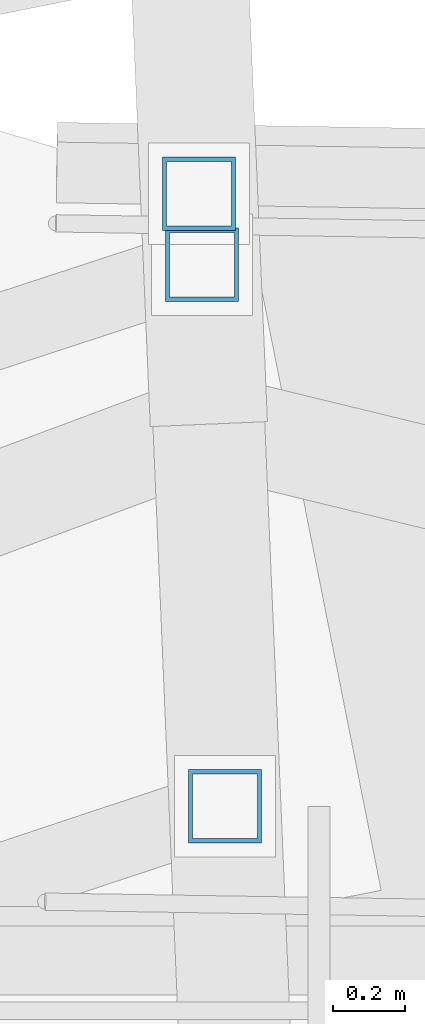
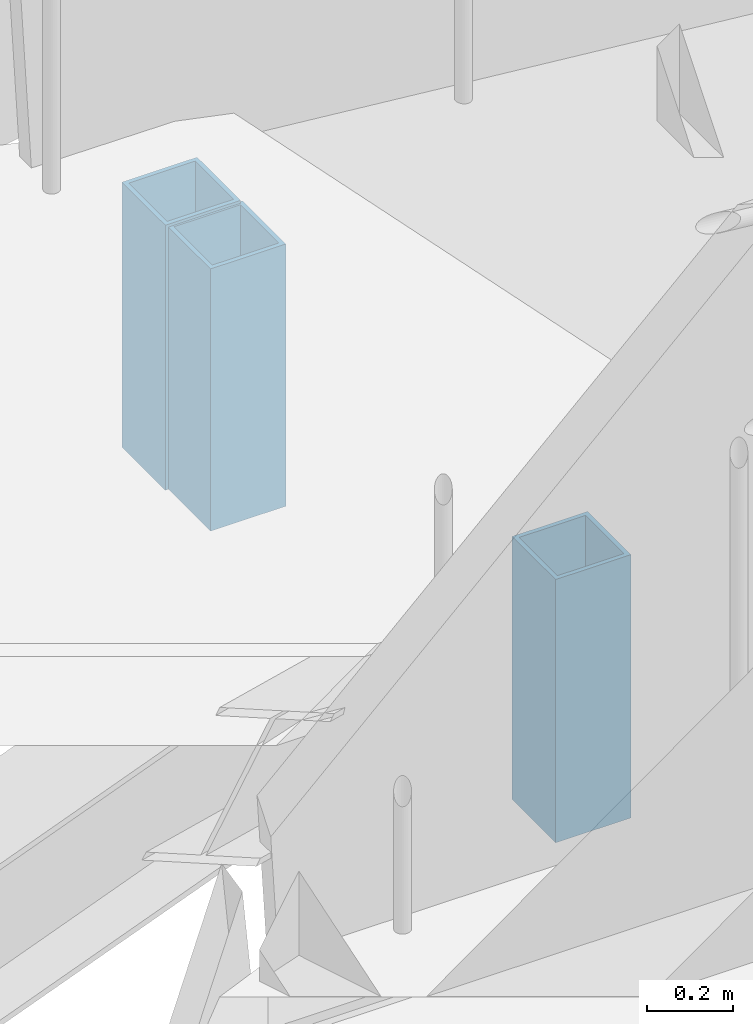
# One storey, part 39 of 61: 3 members.
"""IFC4 building model written with IfcOpenShell, lengths in metres."""

import ifcopenshell
import ifcopenshell.guid

model = None  # the IFC model being written
_history = None  # IfcOwnerHistory: only IFC2X3 demands one
_inside = {}  # id of a spatial element -> (the spatial element, [elements in it])
_under = {}  # id of a project, library or spatial element -> (it, [spatial elements below it])
_declared = {}  # id of a project -> (the project, [libraries it declares])
_typed = {}  # id of a type object -> (the type object, [elements of that type])
_made_of = {}  # id of a material, layer set ... -> (it, [elements and type objects made of it])


def new_model(schema):
    """Start an empty IFC model of exactly this schema.

    Asked for "IFC4X3", IfcOpenShell would pick the latest addendum, in which some entities
    have other attributes; the version numbers below select the first issue.
    IFC2X3 requires an IfcOwnerHistory on every rooted entity: one is made here for all.
    """
    global model, _history
    if schema == "IFC4X3":
        model = ifcopenshell.file(schema_version=(4, 3, 0, 0))
    else:
        model = ifcopenshell.file(schema=schema)
    _inside.clear()
    _under.clear()
    _declared.clear()
    _typed.clear()
    _made_of.clear()
    _history = None
    if model.schema == "IFC2X3":
        org = make("IfcOrganization", Name="unknown")
        user = make(
            "IfcPersonAndOrganization",
            ThePerson=make("IfcPerson", FamilyName="unknown"),
            TheOrganization=org,
        )
        app = make(
            "IfcApplication",
            ApplicationDeveloper=org,
            Version="unknown",
            ApplicationFullName="unknown",
            ApplicationIdentifier="unknown",
        )
        _history = make(
            "IfcOwnerHistory",
            OwningUser=user,
            OwningApplication=app,
            ChangeAction="ADDED",
            CreationDate=0,
        )
    return model


def make(cls, **values):
    """One entity of the class cls with the attributes given. An attribute that is None is left unset."""
    return model.create_entity(
        cls, **{name: value for name, value in values.items() if value is not None}
    )


def rooted(cls, **values):
    """An entity with a GlobalId (a new one), such as an element, a storey or a relation."""
    return make(cls, GlobalId=ifcopenshell.guid.new(), OwnerHistory=_history, **values)


def si_unit(unit_type, name, prefix=None):
    """IfcSIUnit, for example si_unit("LENGTHUNIT", "METRE", prefix="MILLI")."""
    return make("IfcSIUnit", UnitType=unit_type, Prefix=prefix, Name=name)


def derived_unit(unit_type, elements):
    """IfcDerivedUnit: a product of units, each with its exponent."""
    return make(
        "IfcDerivedUnit",
        Elements=[
            make("IfcDerivedUnitElement", Unit=unit, Exponent=power)
            for unit, power in elements
        ],
        UnitType=unit_type,
    )


def assignment(units):
    """IfcUnitAssignment: the units of a project."""
    return None if units is None else make("IfcUnitAssignment", Units=units)


def point(xyz):
    """IfcCartesianPoint."""
    return None if xyz is None else make("IfcCartesianPoint", Coordinates=xyz)


def direction(xyz):
    """IfcDirection."""
    return None if xyz is None else make("IfcDirection", DirectionRatios=xyz)


def frame(location, z_axis=None, x_axis=None):
    """IfcAxis2Placement3D, a coordinate frame: its origin and axes. An axis left out is left unset."""
    return make(
        "IfcAxis2Placement3D",
        Location=point(location),
        Axis=direction(z_axis),
        RefDirection=direction(x_axis),
    )


def frame_2d(location, x_axis=None):
    """IfcAxis2Placement2D, a coordinate frame in the plane: its origin and x axis."""
    return make(
        "IfcAxis2Placement2D", Location=point(location), RefDirection=direction(x_axis)
    )


def origin():
    """The frame at (0, 0, 0) with its axes left unset."""
    return frame((0.0, 0.0, 0.0))


def origin_2d():
    """The frame at (0, 0) in the plane with its x axis left unset."""
    return frame_2d((0.0, 0.0))


def place(relative_to, where):
    """IfcLocalPlacement: puts the frame where relative to a parent placement (None: the world)."""
    return make(
        "IfcLocalPlacement", PlacementRelTo=relative_to, RelativePlacement=where
    )


def context(
    kind, dimensions, precision=None, world=None, true_north=None, identifier=None
):
    """IfcGeometricRepresentationContext, for example the 3D "Model" context."""
    return make(
        "IfcGeometricRepresentationContext",
        ContextIdentifier=identifier,
        ContextType=kind,
        CoordinateSpaceDimension=dimensions,
        Precision=precision,
        WorldCoordinateSystem=world,
        TrueNorth=true_north,
    )


def subcontext(parent, identifier, kind, view, scale=None):
    """IfcGeometricRepresentationSubContext, for example "Body" below "Model"."""
    return make(
        "IfcGeometricRepresentationSubContext",
        ContextIdentifier=identifier,
        ContextType=kind,
        ParentContext=parent,
        TargetScale=scale,
        TargetView=view,
    )


def project(units=None, contexts=None):
    """IfcProject with its units and contexts."""
    return rooted(
        "IfcProject",
        Name="project",
        RepresentationContexts=contexts,
        UnitsInContext=assignment(units),
    )


def spatial(cls, under=None, at=None, **own):
    """A site, building, storey or space (cls), placed at a placement, below another one or the project."""
    s = rooted(cls, ObjectPlacement=at, **own)
    if under is not None:
        _under.setdefault(under.id(), (under, []))[1].append(s)
    return s


def profile(cls, at=None, kind="AREA", **sizes):
    """A parametric profile (cls). Its sizes go by their IFC names, for example OverallWidth=200.0."""
    return make(cls, ProfileType=kind, Position=at, **sizes)


def hollow_rectangle(**sizes):
    """IfcRectangleHollowProfileDef."""
    return profile("IfcRectangleHollowProfileDef", **sizes)


def extrude(swept, where, along, depth):
    """IfcExtrudedAreaSolid: the profile swept, set in the frame where, extruded along a direction by depth."""
    return make(
        "IfcExtrudedAreaSolid",
        SweptArea=swept,
        Position=where,
        ExtrudedDirection=direction(along),
        Depth=depth,
    )


def shape(context_of_items, identifier, shape_type, items):
    """IfcShapeRepresentation: the items that make up one representation, for example the "Body"."""
    return make(
        "IfcShapeRepresentation",
        ContextOfItems=context_of_items,
        RepresentationIdentifier=identifier,
        RepresentationType=shape_type,
        Items=items,
    )


def material(Name=None, Category=None):
    """IfcMaterial."""
    return make("IfcMaterial", Name=Name, Category=Category)


def material_profile(
    of_material, cross_section, Name=None, Category=None, Priority=None
):
    """IfcMaterialProfile: a cross section and its material."""
    return make(
        "IfcMaterialProfile",
        Name=Name,
        Material=of_material,
        Profile=cross_section,
        Priority=Priority,
        Category=Category,
    )


def profile_set(profiles, Name=None, composite=None):
    """IfcMaterialProfileSet."""
    return make(
        "IfcMaterialProfileSet",
        Name=Name,
        MaterialProfiles=profiles,
        CompositeProfile=composite,
    )


def made_of(thing, what):
    """Note that an element or type object is made of a material, layer set ...; save() writes the relation."""
    if what is not None:
        _made_of.setdefault(what.id(), (what, []))[1].append(thing)
    return thing


def type_object(cls, material=None, **own):
    """A type object (cls), such as IfcWallType, which elements share."""
    return made_of(rooted(cls, **own), material)


def element(
    cls,
    number,
    at=None,
    inside=None,
    cuts=None,
    type_object=None,
    material=None,
    context=None,
    identifier="Body",
    shape_type=None,
    held_by="IfcProductDefinitionShape",
    body=None,
    shapes=None,
    **own,
):
    """One element of the class cls, such as IfcWall. Its Tag is "e" and its number.

    at: its placement. inside: the storey or other place that contains it. cuts: it is an
    opening in that element (IfcRelVoidsElement). A single representation is given by context,
    identifier, shape_type and body (its items); several are given by shapes. held_by: the class
    of the entity that holds the representations. save() writes the other relations.
    """
    e = rooted(cls, Tag="e%d" % number, ObjectPlacement=at, **own)
    if body is not None:
        shapes = [shape(context, identifier, shape_type, body)]
    if shapes is not None:
        e.Representation = make(held_by, Representations=shapes)
    if inside is not None:
        _inside.setdefault(inside.id(), (inside, []))[1].append(e)
    if cuts is not None:
        rooted(
            "IfcRelVoidsElement", RelatingBuildingElement=cuts, RelatedOpeningElement=e
        )
    if type_object is not None:
        _typed.setdefault(type_object.id(), (type_object, []))[1].append(e)
    return made_of(e, material)


def aggregate(whole, parts):
    """IfcRelAggregates: a whole, such as a stair, and the parts it consists of."""
    return rooted("IfcRelAggregates", RelatingObject=whole, RelatedObjects=parts)


def save(model, path):
    """Write the relations noted so far, then the file.

    IfcRelAggregates (storeys below a building ...), IfcRelContainedInSpatialStructure (elements
    in a storey), IfcRelDefinesByType, IfcRelAssociatesMaterial and IfcRelDeclares: one each for
    every whole, place, type object, material and project.
    """
    for whole, parts in _under.values():
        aggregate(whole, parts)
    for where, things in _inside.values():
        rooted(
            "IfcRelContainedInSpatialStructure",
            RelatedElements=things,
            RelatingStructure=where,
        )
    for kind, things in _typed.values():
        rooted("IfcRelDefinesByType", RelatedObjects=things, RelatingType=kind)
    for what, things in _made_of.values():
        rooted("IfcRelAssociatesMaterial", RelatedObjects=things, RelatingMaterial=what)
    for by, libraries in _declared.values():
        rooted("IfcRelDeclares", RelatingContext=by, RelatedDefinitions=libraries)
    model.write(path)


model = new_model("IFC4")

# Units and contexts
model_context = context("Model", 3, precision=1e-05, world=origin(), true_north=direction((0.0, 1.0)))
body_context = subcontext(model_context, "Body", "Model", "MODEL_VIEW")
ifc_project = project(units=[si_unit("LENGTHUNIT", "METRE"), si_unit("AREAUNIT", "SQUARE_METRE"), si_unit("VOLUMEUNIT", "CUBIC_METRE"), si_unit("PLANEANGLEUNIT", "RADIAN"), si_unit("MASSUNIT", "GRAM", prefix="KILO"), derived_unit("THERMALTRANSMITTANCEUNIT", [(si_unit("MASSUNIT", "GRAM", prefix="KILO"), 1), (si_unit("TIMEUNIT", "SECOND"), -3), (si_unit("THERMODYNAMICTEMPERATUREUNIT", "KELVIN"), -1)])], contexts=[model_context])

# Site, building, storey
site_placement = place(None, origin())
site = spatial("IfcSite", under=ifc_project, at=site_placement, CompositionType="ELEMENT")
building_placement = place(site_placement, origin())
building = spatial("IfcBuilding", under=site, at=building_placement, Name="Makaiwela Harbour Ferry Terminal", CompositionType="ELEMENT")
storey_placement = place(building_placement, frame((0.0, 0.0, 13.800048828125)))
storey = spatial("IfcBuildingStorey", under=building, at=storey_placement, Name="L03", CompositionType="ELEMENT", Elevation=13.800048828125)

# Members
ifc_material = material(Name="Steel ASTM A500 Grade C", Category="steel")
ifc_material_profile = material_profile(ifc_material, hollow_rectangle(XDim=0.202880859375, YDim=0.202880859375, WallThickness=0.01171875, at=origin_2d()), Name="HSS8X8X1/2")
ifc_profile_set = profile_set([ifc_material_profile], Name="Steel ASTM A500 Grade C")
member_type = type_object("IfcMemberType", Name="STR-PST-HSS8", PredefinedType="POST", material=ifc_profile_set)
member_1_placement = place(storey_placement, frame((33.0703125, 93.265625, -0.275146484375), z_axis=(0.0, 0.0, 1.0), x_axis=(1.0, 0.0, 0.0)))
element("IfcMember", 1, at=member_1_placement, inside=storey, type_object=member_type, Name="Exterior Ramp Support Post RP-0058", PredefinedType="POST", context=body_context, shape_type="SweptSolid", body=[
    extrude(hollow_rectangle(XDim=0.202880859375, YDim=0.202880859375, WallThickness=0.01171875, at=origin_2d()), origin(), (0.0, 0.0, 1.0), 0.7470703125),
])
member_2_placement = place(storey_placement, frame((33.06201171875, 93.46240234375, -0.275146484375), z_axis=(0.0, 0.0, 1.0), x_axis=(1.0, 0.0, 0.0)))
element("IfcMember", 2, at=member_2_placement, inside=storey, type_object=member_type, Name="Exterior Ramp Support Post RP-0060", PredefinedType="POST", context=body_context, shape_type="SweptSolid", body=[
    extrude(hollow_rectangle(XDim=0.202880859375, YDim=0.202880859375, WallThickness=0.01171875, at=origin_2d()), origin(), (0.0, 0.0, 1.0), 0.755126953125),
])
member_3_placement = place(storey_placement, frame((33.1337890625, 91.764892578125, -0.275146484375), z_axis=(0.0, 0.0, 1.0), x_axis=(1.0, 0.0, 0.0)))
element("IfcMember", 3, at=member_3_placement, inside=storey, type_object=member_type, Name="Exterior Ramp Support Post RP-0071", PredefinedType="POST", context=body_context, shape_type="SweptSolid", body=[
    extrude(hollow_rectangle(XDim=0.202880859375, YDim=0.202880859375, WallThickness=0.01171875, at=origin_2d()), origin(), (0.0, 0.0, 1.0), 0.75),
])

save(model, "model.ifc")
